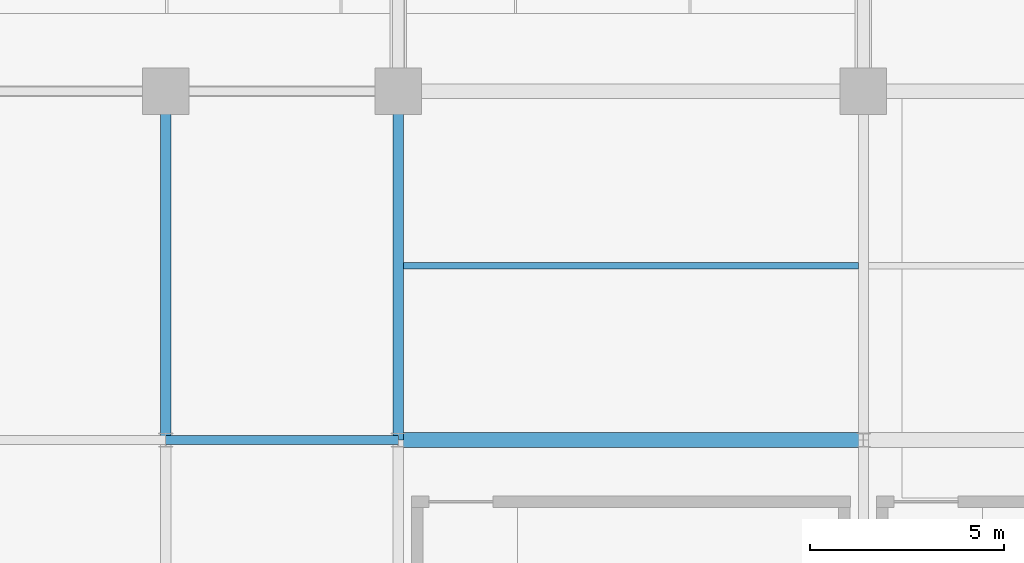
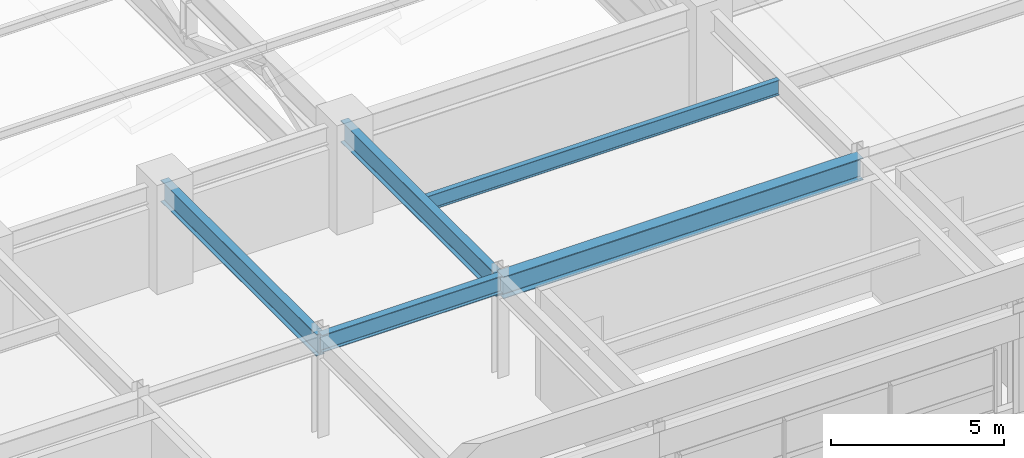
# One storey, part 35 of 108: 5 beams.
"""IFC4 building model written with IfcOpenShell, lengths in metres."""

from ifc_helpers import new_model, si_unit, direction, frame, origin, origin_2d, place, context, subcontext, project, spatial, i_section, extrude, material, material_profile, profile_set, type_object, element, save


model = new_model("IFC4")

# Units and contexts
model_context = context("Model", 3, precision=1e-05, world=origin(), true_north=direction((0.0, 1.0)))
body_context = subcontext(model_context, "Body", "Model", "MODEL_VIEW")
ifc_project = project(units=[si_unit("LENGTHUNIT", "METRE"), si_unit("AREAUNIT", "SQUARE_METRE"), si_unit("VOLUMEUNIT", "CUBIC_METRE"), si_unit("PLANEANGLEUNIT", "RADIAN"), si_unit("MASSUNIT", "GRAM", prefix="KILO")], contexts=[model_context])

# Site, building, storey
site_placement = place(None, origin())
site = spatial("IfcSite", under=ifc_project, at=site_placement, CompositionType="ELEMENT")
building_placement = place(site_placement, origin())
building = spatial("IfcBuilding", under=site, at=building_placement, Name="Kaldorvane Square Convention Centre", CompositionType="ELEMENT")
storey_placement = place(building_placement, frame((0.0, 0.0, 23.399993896484375)))
storey = spatial("IfcBuildingStorey", under=building, at=storey_placement, Name="L04", CompositionType="ELEMENT", Elevation=23.399993896484375)

# Beams
ifc_material = material(Name="Steel ASTM A992 Gr. 50", Category="steel")
ifc_material_profile_1 = material_profile(ifc_material, i_section(OverallWidth=0.2303009033203125, OverallDepth=0.61749267578125, WebThickness=0.0131072998046875, FlangeThickness=0.0222015380859375, FilletRadius=0.0126953125, at=origin_2d()), Name="W24X94")
ifc_profile_set_1 = profile_set([ifc_material_profile_1], Name="Steel ASTM A992 Gr. 50")
beam_type_1 = type_object("IfcBeamType", Name="BM-GR-W24X94", PredefinedType="BEAM", material=ifc_profile_set_1)
beam_1_placement = place(storey_placement, frame((96.0, 9.0, 3.2172088623046875), z_axis=(1.0, 0.0, 0.0), x_axis=(0.0, 1.0, 0.0)))
element("IfcBeam", 1, at=beam_1_placement, inside=storey, type_object=beam_type_1, Name="Primary Girder (L04)", PredefinedType="BEAM", context=body_context, shape_type="SweptSolid", body=[
    extrude(i_section(OverallWidth=0.2303009033203125, OverallDepth=0.61749267578125, WebThickness=0.0131072998046875, FlangeThickness=0.0222015380859375, FilletRadius=0.0126953125, at=origin_2d()), origin(), (0.0, 0.0, 1.0), 6.0),
])
ifc_material_profile_2 = material_profile(ifc_material, i_section(OverallWidth=0.2666015625, OverallDepth=0.762298583984375, WebThickness=0.014404296875, FlangeThickness=0.0216064453125, FilletRadius=0.0164947509765625, at=origin_2d()), Name="W30X116")
ifc_profile_set_2 = profile_set([ifc_material_profile_2], Name="Steel ASTM A992 Gr. 50")
beam_type_2 = type_object("IfcBeamType", Name="BM-GR-W30X116", PredefinedType="BEAM", material=ifc_profile_set_2)
for number, where, z_axis, x_axis, name in (
    (2, (96.0, 9.0, 3.144805908203125), (0.0, 1.0, 0.0), (-1.0, 0.0, 0.0), "Transverse Girder (L04)"),
    (3, (102.0, 9.0, 3.144805908203125), (0.0, 1.0, 0.0), (-1.0, 0.0, 0.0), "Transverse Girder (L04)"),
):
    element("IfcBeam", number, at=place(storey_placement, frame(where, z_axis=z_axis, x_axis=x_axis)), inside=storey, type_object=beam_type_2, Name=name, PredefinedType="BEAM", context=body_context, shape_type="SweptSolid", body=[
        extrude(i_section(OverallWidth=0.2666015625, OverallDepth=0.762298583984375, WebThickness=0.014404296875, FlangeThickness=0.0216064453125, FilletRadius=0.0164947509765625, at=origin_2d()), origin(), (0.0, 0.0, 1.0), 9.0),
    ])
ifc_material_profile_3 = material_profile(ifc_material, i_section(OverallWidth=0.380706787109375, OverallDepth=0.773193359375, WebThickness=0.0166015625, FlangeThickness=0.027099609375, FilletRadius=0.0164947509765625, at=origin_2d()), Name="W30X173")
ifc_profile_set_3 = profile_set([ifc_material_profile_3], Name="Steel ASTM A992 Gr. 50")
beam_type_3 = type_object("IfcBeamType", Name="BM-GR-W30X173", PredefinedType="BEAM", material=ifc_profile_set_3)
beam_2_placement = place(storey_placement, frame((102.0, 9.0, 3.139404296875), z_axis=(1.0, 0.0, 0.0), x_axis=(0.0, 1.0, 0.0)))
element("IfcBeam", 4, at=beam_2_placement, inside=storey, type_object=beam_type_3, Name="Primary Girder (L04)", PredefinedType="BEAM", context=body_context, shape_type="SweptSolid", body=[
    extrude(i_section(OverallWidth=0.380706787109375, OverallDepth=0.773193359375, WebThickness=0.0166015625, FlangeThickness=0.027099609375, FilletRadius=0.0164947509765625, at=origin_2d()), origin(), (0.0, 0.0, 1.0), 12.0),
])
ifc_material_profile_4 = material_profile(ifc_material, i_section(OverallWidth=0.1658935546875, OverallDepth=0.5290985107421875, WebThickness=0.00970458984375, FlangeThickness=0.0135955810546875, FilletRadius=0.0126953125, at=origin_2d()), Name="W21X50")
ifc_profile_set_4 = profile_set([ifc_material_profile_4], Name="Steel ASTM A992 Gr. 50")
beam_type_4 = type_object("IfcBeamType", Name="BM-JS-W21X50", PredefinedType="JOIST", material=ifc_profile_set_4)
beam_3_placement = place(storey_placement, frame((102.13330078125, 13.5, 3.26141357421875), z_axis=(1.0, 0.0, 0.0), x_axis=(0.0, 1.0, 0.0)))
element("IfcBeam", 5, at=beam_3_placement, inside=storey, type_object=beam_type_4, Name="Secondary Floor Joist (L04)", PredefinedType="JOIST", context=body_context, shape_type="SweptSolid", body=[
    extrude(i_section(OverallWidth=0.1658935546875, OverallDepth=0.5290985107421875, WebThickness=0.00970458984375, FlangeThickness=0.0135955810546875, FilletRadius=0.0126953125, at=origin_2d()), origin(), (0.0, 0.0, 1.0), 11.7333984375),
])

save(model, "model.ifc")
